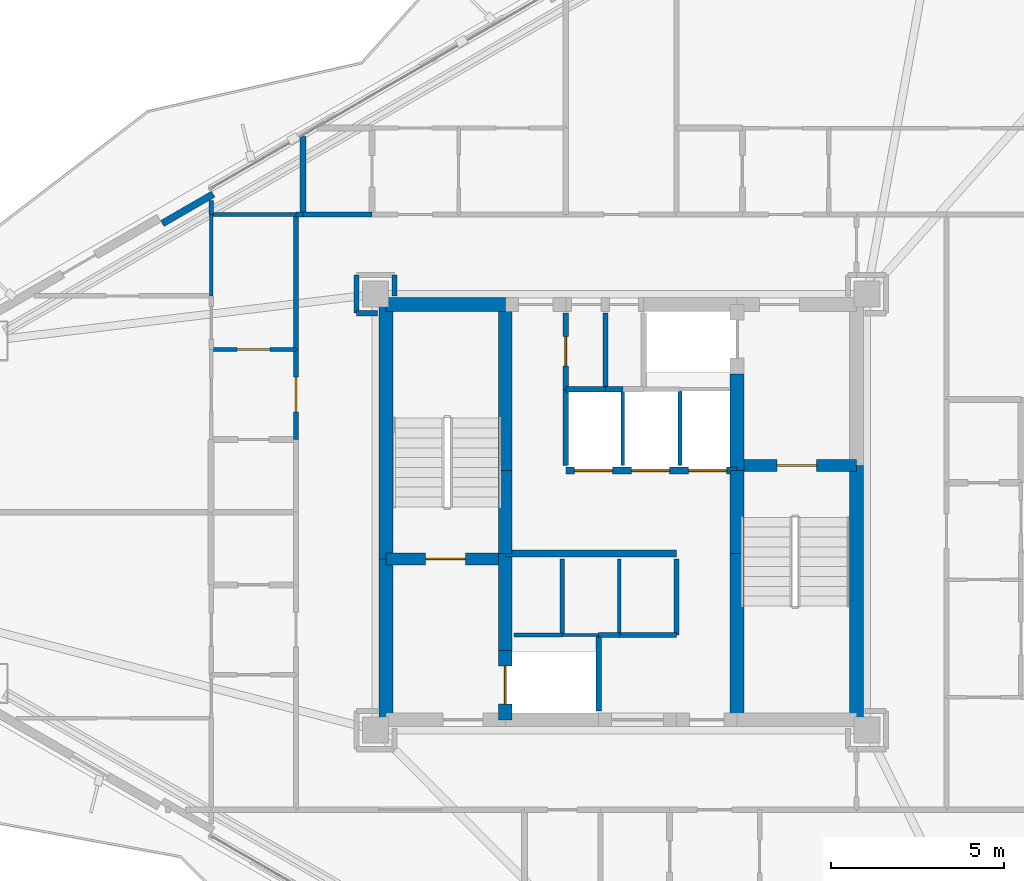
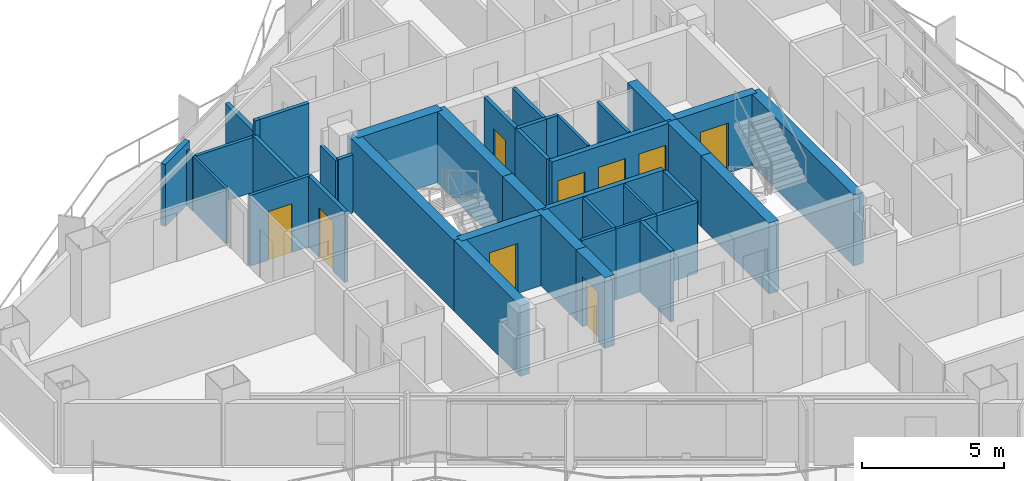
# One storey, part 17 of 23: 43 walls, 9 doors, 9 openings.
"""IFC4 building model written with IfcOpenShell, lengths in metres."""

import ifcopenshell
import ifcopenshell.guid

model = None  # the IFC model being written
_history = None  # IfcOwnerHistory: only IFC2X3 demands one
_inside = {}  # id of a spatial element -> (the spatial element, [elements in it])
_under = {}  # id of a project, library or spatial element -> (it, [spatial elements below it])
_declared = {}  # id of a project -> (the project, [libraries it declares])
_typed = {}  # id of a type object -> (the type object, [elements of that type])
_made_of = {}  # id of a material, layer set ... -> (it, [elements and type objects made of it])


def new_model(schema):
    """Start an empty IFC model of exactly this schema.

    Asked for "IFC4X3", IfcOpenShell would pick the latest addendum, in which some entities
    have other attributes; the version numbers below select the first issue.
    IFC2X3 requires an IfcOwnerHistory on every rooted entity: one is made here for all.
    """
    global model, _history
    if schema == "IFC4X3":
        model = ifcopenshell.file(schema_version=(4, 3, 0, 0))
    else:
        model = ifcopenshell.file(schema=schema)
    _inside.clear()
    _under.clear()
    _declared.clear()
    _typed.clear()
    _made_of.clear()
    _history = None
    if model.schema == "IFC2X3":
        org = make("IfcOrganization", Name="unknown")
        user = make(
            "IfcPersonAndOrganization",
            ThePerson=make("IfcPerson", FamilyName="unknown"),
            TheOrganization=org,
        )
        app = make(
            "IfcApplication",
            ApplicationDeveloper=org,
            Version="unknown",
            ApplicationFullName="unknown",
            ApplicationIdentifier="unknown",
        )
        _history = make(
            "IfcOwnerHistory",
            OwningUser=user,
            OwningApplication=app,
            ChangeAction="ADDED",
            CreationDate=0,
        )
    return model


def make(cls, **values):
    """One entity of the class cls with the attributes given. An attribute that is None is left unset."""
    return model.create_entity(
        cls, **{name: value for name, value in values.items() if value is not None}
    )


def rooted(cls, **values):
    """An entity with a GlobalId (a new one), such as an element, a storey or a relation."""
    return make(cls, GlobalId=ifcopenshell.guid.new(), OwnerHistory=_history, **values)


def si_unit(unit_type, name, prefix=None):
    """IfcSIUnit, for example si_unit("LENGTHUNIT", "METRE", prefix="MILLI")."""
    return make("IfcSIUnit", UnitType=unit_type, Prefix=prefix, Name=name)


def assignment(units):
    """IfcUnitAssignment: the units of a project."""
    return None if units is None else make("IfcUnitAssignment", Units=units)


def point(xyz):
    """IfcCartesianPoint."""
    return None if xyz is None else make("IfcCartesianPoint", Coordinates=xyz)


def direction(xyz):
    """IfcDirection."""
    return None if xyz is None else make("IfcDirection", DirectionRatios=xyz)


def frame(location, z_axis=None, x_axis=None):
    """IfcAxis2Placement3D, a coordinate frame: its origin and axes. An axis left out is left unset."""
    return make(
        "IfcAxis2Placement3D",
        Location=point(location),
        Axis=direction(z_axis),
        RefDirection=direction(x_axis),
    )


def frame_2d(location, x_axis=None):
    """IfcAxis2Placement2D, a coordinate frame in the plane: its origin and x axis."""
    return make(
        "IfcAxis2Placement2D", Location=point(location), RefDirection=direction(x_axis)
    )


def origin():
    """The frame at (0, 0, 0) with its axes left unset."""
    return frame((0.0, 0.0, 0.0))


def place(relative_to, where):
    """IfcLocalPlacement: puts the frame where relative to a parent placement (None: the world)."""
    return make(
        "IfcLocalPlacement", PlacementRelTo=relative_to, RelativePlacement=where
    )


def context(
    kind, dimensions, precision=None, world=None, true_north=None, identifier=None
):
    """IfcGeometricRepresentationContext, for example the 3D "Model" context."""
    return make(
        "IfcGeometricRepresentationContext",
        ContextIdentifier=identifier,
        ContextType=kind,
        CoordinateSpaceDimension=dimensions,
        Precision=precision,
        WorldCoordinateSystem=world,
        TrueNorth=true_north,
    )


def subcontext(parent, identifier, kind, view, scale=None):
    """IfcGeometricRepresentationSubContext, for example "Body" below "Model"."""
    return make(
        "IfcGeometricRepresentationSubContext",
        ContextIdentifier=identifier,
        ContextType=kind,
        ParentContext=parent,
        TargetScale=scale,
        TargetView=view,
    )


def project(units=None, contexts=None):
    """IfcProject with its units and contexts."""
    return rooted(
        "IfcProject",
        Name="project",
        RepresentationContexts=contexts,
        UnitsInContext=assignment(units),
    )


def spatial(cls, under=None, at=None, **own):
    """A site, building, storey or space (cls), placed at a placement, below another one or the project."""
    s = rooted(cls, ObjectPlacement=at, **own)
    if under is not None:
        _under.setdefault(under.id(), (under, []))[1].append(s)
    return s


def profile(cls, at=None, kind="AREA", **sizes):
    """A parametric profile (cls). Its sizes go by their IFC names, for example OverallWidth=200.0."""
    return make(cls, ProfileType=kind, Position=at, **sizes)


def rectangle(**sizes):
    """IfcRectangleProfileDef."""
    return profile("IfcRectangleProfileDef", **sizes)


def extrude(swept, where, along, depth):
    """IfcExtrudedAreaSolid: the profile swept, set in the frame where, extruded along a direction by depth."""
    return make(
        "IfcExtrudedAreaSolid",
        SweptArea=swept,
        Position=where,
        ExtrudedDirection=direction(along),
        Depth=depth,
    )


def shape(context_of_items, identifier, shape_type, items):
    """IfcShapeRepresentation: the items that make up one representation, for example the "Body"."""
    return make(
        "IfcShapeRepresentation",
        ContextOfItems=context_of_items,
        RepresentationIdentifier=identifier,
        RepresentationType=shape_type,
        Items=items,
    )


def material(Name=None, Category=None):
    """IfcMaterial."""
    return make("IfcMaterial", Name=Name, Category=Category)


def layer(
    of_material, thickness, ventilated=None, Name=None, Category=None, Priority=None
):
    """IfcMaterialLayer: one layer of a wall or slab, of a material (None: an air gap)."""
    return make(
        "IfcMaterialLayer",
        Material=of_material,
        LayerThickness=thickness,
        IsVentilated=ventilated,
        Name=Name,
        Category=Category,
        Priority=Priority,
    )


def layer_set(layers, Name=None):
    """IfcMaterialLayerSet."""
    return make("IfcMaterialLayerSet", MaterialLayers=layers, LayerSetName=Name)


def made_of(thing, what):
    """Note that an element or type object is made of a material, layer set ...; save() writes the relation."""
    if what is not None:
        _made_of.setdefault(what.id(), (what, []))[1].append(thing)
    return thing


def type_object(cls, material=None, **own):
    """A type object (cls), such as IfcWallType, which elements share."""
    return made_of(rooted(cls, **own), material)


def element(
    cls,
    number,
    at=None,
    inside=None,
    cuts=None,
    type_object=None,
    material=None,
    context=None,
    identifier="Body",
    shape_type=None,
    held_by="IfcProductDefinitionShape",
    body=None,
    shapes=None,
    **own,
):
    """One element of the class cls, such as IfcWall. Its Tag is "e" and its number.

    at: its placement. inside: the storey or other place that contains it. cuts: it is an
    opening in that element (IfcRelVoidsElement). A single representation is given by context,
    identifier, shape_type and body (its items); several are given by shapes. held_by: the class
    of the entity that holds the representations. save() writes the other relations.
    """
    e = rooted(cls, Tag="e%d" % number, ObjectPlacement=at, **own)
    if body is not None:
        shapes = [shape(context, identifier, shape_type, body)]
    if shapes is not None:
        e.Representation = make(held_by, Representations=shapes)
    if inside is not None:
        _inside.setdefault(inside.id(), (inside, []))[1].append(e)
    if cuts is not None:
        rooted(
            "IfcRelVoidsElement", RelatingBuildingElement=cuts, RelatedOpeningElement=e
        )
    if type_object is not None:
        _typed.setdefault(type_object.id(), (type_object, []))[1].append(e)
    return made_of(e, material)


def fill(opening, filler):
    """IfcRelFillsElement: the door or window that sits in an opening."""
    return rooted(
        "IfcRelFillsElement",
        RelatingOpeningElement=opening,
        RelatedBuildingElement=filler,
    )


def aggregate(whole, parts):
    """IfcRelAggregates: a whole, such as a stair, and the parts it consists of."""
    return rooted("IfcRelAggregates", RelatingObject=whole, RelatedObjects=parts)


def save(model, path):
    """Write the relations noted so far, then the file.

    IfcRelAggregates (storeys below a building ...), IfcRelContainedInSpatialStructure (elements
    in a storey), IfcRelDefinesByType, IfcRelAssociatesMaterial and IfcRelDeclares: one each for
    every whole, place, type object, material and project.
    """
    for whole, parts in _under.values():
        aggregate(whole, parts)
    for where, things in _inside.values():
        rooted(
            "IfcRelContainedInSpatialStructure",
            RelatedElements=things,
            RelatingStructure=where,
        )
    for kind, things in _typed.values():
        rooted("IfcRelDefinesByType", RelatedObjects=things, RelatingType=kind)
    for what, things in _made_of.values():
        rooted("IfcRelAssociatesMaterial", RelatedObjects=things, RelatingMaterial=what)
    for by, libraries in _declared.values():
        rooted("IfcRelDeclares", RelatingContext=by, RelatedDefinitions=libraries)
    model.write(path)


model = new_model("IFC4")

# Units and contexts
model_context = context("Model", 3, precision=1e-05, world=origin(), true_north=direction((0.0, 1.0)))
body_context = subcontext(model_context, "Body", "Model", "MODEL_VIEW")
ifc_project = project(units=[si_unit("LENGTHUNIT", "METRE"), si_unit("AREAUNIT", "SQUARE_METRE"), si_unit("VOLUMEUNIT", "CUBIC_METRE"), si_unit("PLANEANGLEUNIT", "RADIAN"), si_unit("MASSUNIT", "GRAM", prefix="KILO")], contexts=[model_context])

# Site, building, storey
site_placement = place(None, origin())
site = spatial("IfcSite", under=ifc_project, at=site_placement, CompositionType="ELEMENT")
building_placement = place(site_placement, origin())
building = spatial("IfcBuilding", under=site, at=building_placement, Name="Mersakhor Tower and Convention Hall", CompositionType="ELEMENT")
storey_placement = place(building_placement, frame((0.0, 0.0, 106.5)))
storey = spatial("IfcBuildingStorey", under=building, at=storey_placement, Name="L29", CompositionType="ELEMENT", Elevation=106.5)

# Walls
ifc_material_1 = material(Name="Precast concrete C40/50", Category="concrete")
ifc_layer_1 = layer(ifc_material_1, 0.199951171875)
ifc_layer_set_1 = layer_set([ifc_layer_1], Name="Precast concrete C40/50")
wall_type_1 = type_object("IfcWallType", Name="WL-PAR-200", PredefinedType="PARAPET", material=ifc_layer_set_1)
wall_1_placement = place(storey_placement, frame((15.73779296875, 35.091064453125, 0.0), z_axis=(0.0, 0.0, 1.0), x_axis=(0.866025371046, 0.500000056704, 0.0)))
element("IfcWall", 1, at=wall_1_placement, inside=storey, type_object=wall_type_1, Name="L29 Column Pier Cladding Wall F1-C1", PredefinedType="PARAPET", context=body_context, shape_type="SweptSolid", body=[
    extrude(rectangle(XDim=1.7001953125, YDim=0.199951171875, at=frame_2d((0.85009765625, 0.0))), origin(), (0.0, 0.0, 1.0), 2.669921875),
])
ifc_material_2 = material(Name="Moisture-resistant acoustic drywall studwork", Category="other")
ifc_layer_2 = layer(ifc_material_2, 0.175048828125)
ifc_layer_set_2 = layer_set([ifc_layer_2], Name="Moisture-resistant acoustic drywall studwork")
wall_type_2 = type_object("IfcWallType", Name="WL-PLM-175", PredefinedType="PLUMBINGWALL", material=ifc_layer_set_2)
wall_2_placement = place(storey_placement, frame((19.800048828125, 35.35009765625, 0.0), z_axis=(0.0, 0.0, 1.0), x_axis=(0.0, 1.0, 0.0)))
element("IfcWall", 2, at=wall_2_placement, inside=storey, type_object=wall_type_2, Name="L29 Interior Partition Wall P-087", PredefinedType="PLUMBINGWALL", context=body_context, shape_type="SweptSolid", body=[
    extrude(rectangle(XDim=2.25244140625, YDim=0.175048828125, at=frame_2d((1.126220703125, 0.0))), origin(), (0.0, 0.0, 1.0), 2.364990234375),
])
ifc_material_3 = material(Name="Lightweight gypsum partition", Category="other")
ifc_layer_3 = layer(ifc_material_3, 0.10009765625)
ifc_layer_set_3 = layer_set([ifc_layer_3], Name="Lightweight gypsum partition")
wall_type_3 = type_object("IfcWallType", Name="WL-PRT-100", PredefinedType="PARTITIONING", material=ifc_layer_set_3)
wall_3_placement = place(storey_placement, frame((27.300048828125, 23.199951171875, 0.0), z_axis=(0.0, 0.0, 1.0), x_axis=(1.0, 0.0, 0.0)))
element("IfcWall", 3, at=wall_3_placement, inside=storey, type_object=wall_type_3, Name="L29 Interior Partition Wall P-002", PredefinedType="PARTITIONING", context=body_context, shape_type="SweptSolid", body=[
    extrude(rectangle(XDim=1.050048828125, YDim=0.10009765625, at=frame_2d((0.52490234375, 0.0))), origin(), (0.0, 0.0, 1.0), 3.050048828125),
])
for number, where, z_axis, x_axis, name in (
    (4, (28.949951171875, 25.39990234375, 0.0), (0.0, 0.0, 1.0), (0.0, -1.0, 0.0), "L29 Interior Partition Wall P-008"),
    (5, (29.050048828125, 30.300048828125, 0.0), (0.0, 0.0, 1.0), (0.0, -1.0, 0.0), "L29 Interior Partition Wall P-014"),
):
    element("IfcWall", number, at=place(storey_placement, frame(where, z_axis=z_axis, x_axis=x_axis)), inside=storey, type_object=wall_type_3, Name=name, PredefinedType="PARTITIONING", context=body_context, shape_type="SweptSolid", body=[
        extrude(rectangle(XDim=2.199951171875, YDim=0.10009765625, at=frame_2d((1.10009765625, 0.0))), origin(), (0.0, 0.0, 1.0), 3.050048828125),
    ])
wall_4_placement = place(storey_placement, frame((17.14990234375, 33.0, 0.0), z_axis=(0.0, 0.0, 1.0), x_axis=(0.0, 1.0, 0.0)))
element("IfcWall", 6, at=wall_4_placement, inside=storey, type_object=wall_type_3, Name="L29 Interior Partition Wall P-102", PredefinedType="PARTITIONING", context=body_context, shape_type="SweptSolid", body=[
    extrude(rectangle(XDim=2.35009765625, YDim=0.10009765625, at=frame_2d((1.175048828125, 0.0))), origin(), (0.0, 0.0, 1.0), 2.364990234375),
])
ifc_material_4 = material(Name="Gypsum board acoustic partition", Category="other")
ifc_layer_4 = layer(ifc_material_4, 0.125)
ifc_layer_set_4 = layer_set([ifc_layer_4], Name="Gypsum board acoustic partition")
wall_type_4 = type_object("IfcWallType", Name="WL-PRT-125", PredefinedType="PARTITIONING", material=ifc_layer_set_4)
wall_5_placement = place(storey_placement, frame((25.89990234375, 23.199951171875, 0.0), z_axis=(0.0, 0.0, 1.0), x_axis=(1.0, 0.0, 0.0)))
element("IfcWall", 7, at=wall_5_placement, inside=storey, type_object=wall_type_4, Name="L29 Interior Partition Wall P-001", PredefinedType="PARTITIONING", context=body_context, shape_type="SweptSolid", body=[
    extrude(rectangle(XDim=1.400146484375, YDim=0.125, at=frame_2d((0.7001953125, 0.0))), origin(), (0.0, 0.0, 1.0), 3.050048828125),
])
for number, where, z_axis, x_axis, name in (
    (8, (27.300048828125, 25.39990234375, 0.0), (0.0, 0.0, 1.0), (0.0, -1.0, 0.0), "L29 Interior Partition Wall P-007"),
    (9, (30.699951171875, 30.300048828125, 0.0), (0.0, 0.0, 1.0), (0.0, -1.0, 0.0), "L29 Interior Partition Wall P-017"),
):
    element("IfcWall", number, at=place(storey_placement, frame(where, z_axis=z_axis, x_axis=x_axis)), inside=storey, type_object=wall_type_4, Name=name, PredefinedType="PARTITIONING", context=body_context, shape_type="SweptSolid", body=[
        extrude(rectangle(XDim=2.199951171875, YDim=0.125, at=frame_2d((1.10009765625, 0.0))), origin(), (0.0, 0.0, 1.0), 3.050048828125),
    ])

# Wall, opening, door
wall_6_placement = place(storey_placement, frame((17.14990234375, 31.449951171875, 0.0), z_axis=(0.0, 0.0, 1.0), x_axis=(1.0, 0.0, 0.0)))
wall_6 = element("IfcWall", 10, at=wall_6_placement, inside=storey, type_object=wall_type_4, Name="L29 Interior Partition Wall P-075", PredefinedType="PARTITIONING", context=body_context, shape_type="SweptSolid", body=[
    extrude(rectangle(XDim=2.4501953125, YDim=0.125, at=frame_2d((1.22509765625, 0.0))), origin(), (0.0, 0.0, 1.0), 3.050048828125),
])
opening_1_placement = place(wall_6_placement, frame((0.75, 0.0, 0.0)))
opening_1 = element("IfcOpeningElement", 11, at=opening_1_placement, cuts=wall_6, Name="Opening RD-01", PredefinedType="OPENING", context=body_context, shape_type="SweptSolid", body=[
    extrude(rectangle(XDim=0.949951171875, YDim=2.10009765625, at=frame_2d((0.47509765625, 1.050048828125))), frame((0.0, 0.072509765625, 0.0), z_axis=(0.0, -1.0, 0.0), x_axis=(1.0, 0.0, 0.0)), (0.0, 0.0, 1.0), 0.14501953125),
])
ifc_material_5 = material(Name="Solid-core hardwood leaf in painted steel frame", Category="steel")
door_type_1 = type_object("IfcDoorType", Name="DR-INT-RM-095x210", OperationType="NOTDEFINED", PredefinedType="DOOR", material=ifc_material_5)
door_1_placement = place(opening_1_placement, origin())
door_1 = element("IfcDoor", 12, at=door_1_placement, inside=storey, type_object=door_type_1, Name="L29 L29 Flat W4 Apartment Hall to L29 Flat W4 Kitchen Door", OperationType="SINGLE_SWING_RIGHT", OverallHeight=2.10009765625, OverallWidth=0.949951171875, PredefinedType="DOOR", context=body_context, shape_type="SweptSolid", body=[
    extrude(rectangle(XDim=0.949951171875, YDim=2.10009765625, at=frame_2d((0.47509765625, 1.050048828125))), frame((0.0, 0.02490234375, 0.0), z_axis=(0.0, -1.0, 0.0), x_axis=(1.0, 0.0, 0.0)), (0.0, 0.0, 1.0), 0.050048828125),
])
fill(opening_1, door_1)

# Walls
wall_7_placement = place(storey_placement, frame((17.14990234375, 35.35009765625, 0.0), z_axis=(0.0, 0.0, 1.0), x_axis=(1.0, 0.0, 0.0)))
element("IfcWall", 13, at=wall_7_placement, inside=storey, type_object=wall_type_4, Name="L29 Interior Partition Wall P-103", PredefinedType="PARTITIONING", context=body_context, shape_type="SweptSolid", body=[
    extrude(rectangle(XDim=2.4501953125, YDim=0.125, at=frame_2d((1.22509765625, 0.0))), origin(), (0.0, 0.0, 1.0), 2.364990234375),
])
wall_8_placement = place(storey_placement, frame((17.14990234375, 35.76318359375, 0.0), z_axis=(0.0, 0.0, 1.0), x_axis=(0.0, -1.0, 0.0)))
element("IfcWall", 14, at=wall_8_placement, inside=storey, type_object=wall_type_4, Name="L29 Interior Partition Wall P-127", PredefinedType="PARTITIONING", context=body_context, shape_type="SweptSolid", body=[
    extrude(rectangle(XDim=0.4130859375, YDim=0.125, at=frame_2d((0.20654296875, 0.0))), origin(), (0.0, 0.0, 1.0), 2.364990234375),
])
ifc_material_6 = material(Name="Fire-rated gypsum board stud partition", Category="other")
ifc_layer_5 = layer(ifc_material_6, 0.14990234375)
ifc_layer_set_5 = layer_set([ifc_layer_5], Name="Fire-rated gypsum board stud partition")
wall_type_5 = type_object("IfcWallType", Name="WL-PRT-150", PredefinedType="PARTITIONING", material=ifc_layer_set_5)
wall_9_placement = place(storey_placement, frame((28.35009765625, 23.199951171875, 0.0), z_axis=(0.0, 0.0, 1.0), x_axis=(0.0, -1.0, 0.0)))
element("IfcWall", 15, at=wall_9_placement, inside=storey, type_object=wall_type_5, Name="L29 Interior Partition Wall P-003", PredefinedType="PARTITIONING", context=body_context, shape_type="SweptSolid", body=[
    extrude(rectangle(XDim=2.199951171875, YDim=0.14990234375, at=frame_2d((1.10009765625, 0.0))), origin(), (0.0, 0.0, 1.0), 3.050048828125),
])
wall_10_placement = place(storey_placement, frame((28.949951171875, 23.199951171875, 0.0), z_axis=(0.0, 0.0, 1.0), x_axis=(-1.0, 0.0, 0.0)))
element("IfcWall", 16, at=wall_10_placement, inside=storey, type_object=wall_type_5, Name="L29 Interior Partition Wall P-009", PredefinedType="PARTITIONING", context=body_context, shape_type="SweptSolid", body=[
    extrude(rectangle(XDim=0.599853515625, YDim=0.14990234375, at=frame_2d((0.2998046875, 0.0))), origin(), (0.0, 0.0, 1.0), 3.050048828125),
])
wall_11_placement = place(storey_placement, frame((30.60009765625, 25.39990234375, 0.0), z_axis=(0.0, 0.0, 1.0), x_axis=(0.0, -1.0, 0.0)))
element("IfcWall", 17, at=wall_11_placement, inside=storey, type_object=wall_type_5, Name="L29 Interior Partition Wall P-010", PredefinedType="PARTITIONING", context=body_context, shape_type="SweptSolid", body=[
    extrude(rectangle(XDim=2.199951171875, YDim=0.14990234375, at=frame_2d((1.10009765625, 0.0))), origin(), (0.0, 0.0, 1.0), 3.050048828125),
])
wall_12_placement = place(storey_placement, frame((30.60009765625, 23.199951171875, 0.0), z_axis=(0.0, 0.0, 1.0), x_axis=(-1.0, 0.0, 0.0)))
element("IfcWall", 18, at=wall_12_placement, inside=storey, type_object=wall_type_5, Name="L29 Interior Partition Wall P-011", PredefinedType="PARTITIONING", context=body_context, shape_type="SweptSolid", body=[
    extrude(rectangle(XDim=1.650146484375, YDim=0.14990234375, at=frame_2d((0.8251953125, 0.0))), origin(), (0.0, 0.0, 1.0), 3.050048828125),
])
wall_13_placement = place(storey_placement, frame((27.39990234375, 30.300048828125, 0.0), z_axis=(0.0, 0.0, 1.0), x_axis=(1.0, 0.0, 0.0)))
element("IfcWall", 19, at=wall_13_placement, inside=storey, type_object=wall_type_5, Name="L29 Interior Partition Wall P-012", PredefinedType="PARTITIONING", context=body_context, shape_type="SweptSolid", body=[
    extrude(rectangle(XDim=1.150146484375, YDim=0.14990234375, at=frame_2d((0.5751953125, 0.0))), origin(), (0.0, 0.0, 1.0), 3.050048828125),
])
wall_14_placement = place(storey_placement, frame((28.550048828125, 30.300048828125, 0.0), z_axis=(0.0, 0.0, 1.0), x_axis=(1.0, 0.0, 0.0)))
element("IfcWall", 20, at=wall_14_placement, inside=storey, type_object=wall_type_5, Name="L29 Interior Partition Wall P-013", PredefinedType="PARTITIONING", context=body_context, shape_type="SweptSolid", body=[
    extrude(rectangle(XDim=0.5, YDim=0.14990234375, at=frame_2d((0.25, 0.0))), origin(), (0.0, 0.0, 1.0), 3.050048828125),
])
wall_15_placement = place(storey_placement, frame((27.39990234375, 28.10009765625, 0.0), z_axis=(0.0, 0.0, 1.0), x_axis=(0.0, 1.0, 0.0)))
element("IfcWall", 21, at=wall_15_placement, inside=storey, type_object=wall_type_5, Name="L29 Interior Partition Wall P-015", PredefinedType="PARTITIONING", context=body_context, shape_type="SweptSolid", body=[
    extrude(rectangle(XDim=2.199951171875, YDim=0.14990234375, at=frame_2d((1.10009765625, 0.0))), origin(), (0.0, 0.0, 1.0), 3.050048828125),
])

# Wall, opening, door
wall_16_placement = place(storey_placement, frame((27.39990234375, 32.5, 0.0), z_axis=(0.0, 0.0, 1.0), x_axis=(0.0, -1.0, 0.0)))
wall_16 = element("IfcWall", 22, at=wall_16_placement, inside=storey, type_object=wall_type_5, Name="L29 Interior Partition Wall P-018", PredefinedType="PARTITIONING", context=body_context, shape_type="SweptSolid", body=[
    extrude(rectangle(XDim=2.199951171875, YDim=0.14990234375, at=frame_2d((1.10009765625, 0.0))), origin(), (0.0, 0.0, 1.0), 3.050048828125),
])
opening_2_placement = place(wall_16_placement, frame((0.675048828125, 0.0, 0.0)))
opening_2 = element("IfcOpeningElement", 23, at=opening_2_placement, cuts=wall_16, Name="Opening SVD-01", PredefinedType="OPENING", context=body_context, shape_type="SweptSolid", body=[
    extrude(rectangle(XDim=0.85009765625, YDim=2.10009765625, at=frame_2d((0.425048828125, 1.050048828125))), frame((0.0, 0.0849609375, 0.0), z_axis=(0.0, -1.0, 0.0), x_axis=(1.0, 0.0, 0.0)), (0.0, 0.0, 1.0), 0.169921875),
])
ifc_material_7 = material(Name="Fire-rated hardwood leaf and painted steel frame", Category="steel")
door_type_2 = type_object("IfcDoorType", Name="DR-INT-SVC-085x210", OperationType="NOTDEFINED", PredefinedType="DOOR", material=ifc_material_7)
door_2_placement = place(opening_2_placement, origin())
door_2 = element("IfcDoor", 24, at=door_2_placement, inside=storey, type_object=door_type_2, Name="L29 Central Passenger Lift Lobby to Telecoms Distribution Room Door", OperationType="SINGLE_SWING_RIGHT", OverallHeight=2.10009765625, OverallWidth=0.85009765625, PredefinedType="DOOR", context=body_context, shape_type="SweptSolid", body=[
    extrude(rectangle(XDim=0.85009765625, YDim=2.10009765625, at=frame_2d((0.425048828125, 1.050048828125))), frame((0.0, 0.02490234375, 0.0), z_axis=(0.0, -1.0, 0.0), x_axis=(1.0, 0.0, 0.0)), (0.0, 0.0, 1.0), 0.050048828125),
])
fill(opening_2, door_2)

wall_17_placement = place(storey_placement, frame((19.60009765625, 28.85009765625, 0.0), z_axis=(0.0, 0.0, 1.0), x_axis=(0.0, 1.0, 0.0)))
wall_17 = element("IfcWall", 25, at=wall_17_placement, inside=storey, type_object=wall_type_5, Name="L29 Interior Partition Wall P-033", PredefinedType="PARTITIONING", context=body_context, shape_type="SweptSolid", body=[
    extrude(rectangle(XDim=2.599853515625, YDim=0.14990234375, at=frame_2d((1.2998046875, 0.0))), origin(), (0.0, 0.0, 1.0), 3.050048828125),
])
opening_3_placement = place(wall_17_placement, frame((0.800048828125, 0.0, 0.0)))
opening_3 = element("IfcOpeningElement", 26, at=opening_3_placement, cuts=wall_17, Name="Opening FD-01", PredefinedType="OPENING", context=body_context, shape_type="SweptSolid", body=[
    extrude(rectangle(XDim=1.0, YDim=2.14990234375, at=frame_2d((0.5, 1.074951171875))), frame((0.0, 0.0849609375, 0.0), z_axis=(0.0, -1.0, 0.0), x_axis=(1.0, 0.0, 0.0)), (0.0, 0.0, 1.0), 0.169921875),
])
ifc_material_8 = material(Name="Fire-rated hardwood leaf and painted steel frame", Category="steel")
door_type_3 = type_object("IfcDoorType", Name="DR-INT-FLT-100x215", OperationType="NOTDEFINED", PredefinedType="DOOR", material=ifc_material_8)
door_3_placement = place(opening_3_placement, origin())
door_3 = element("IfcDoor", 27, at=door_3_placement, inside=storey, type_object=door_type_3, Name="L29 Apartment Entrance Door (Residential Ring Corridor to L29 Flat W4 Apartment Hall)", OperationType="SINGLE_SWING_RIGHT", OverallHeight=2.14990234375, OverallWidth=1.0, PredefinedType="DOOR", context=body_context, shape_type="SweptSolid", body=[
    extrude(rectangle(XDim=1.0, YDim=2.14990234375, at=frame_2d((0.5, 1.074951171875))), frame((0.0, 0.02490234375, 0.0), z_axis=(0.0, -1.0, 0.0), x_axis=(1.0, 0.0, 0.0)), (0.0, 0.0, 1.0), 0.050048828125),
])
fill(opening_3, door_3)

# Walls
wall_18_placement = place(storey_placement, frame((19.60009765625, 31.449951171875, 0.0), z_axis=(0.0, 0.0, 1.0), x_axis=(0.0, 1.0, 0.0)))
element("IfcWall", 28, at=wall_18_placement, inside=storey, type_object=wall_type_5, Name="L29 Interior Partition Wall P-034", PredefinedType="PARTITIONING", context=body_context, shape_type="SweptSolid", body=[
    extrude(rectangle(XDim=3.900146484375, YDim=0.14990234375, at=frame_2d((1.9501953125, 0.0))), origin(), (0.0, 0.0, 1.0), 2.4228515625),
])
wall_19_placement = place(storey_placement, frame((19.60009765625, 35.35009765625, 0.0), z_axis=(0.0, 0.0, 1.0), x_axis=(1.0, 0.0, 0.0)))
element("IfcWall", 29, at=wall_19_placement, inside=storey, type_object=wall_type_5, Name="L29 Interior Partition Wall P-035", PredefinedType="PARTITIONING", context=body_context, shape_type="SweptSolid", body=[
    extrude(rectangle(XDim=0.199951171875, YDim=0.14990234375, at=frame_2d((0.10009765625, 0.0))), origin(), (0.0, 0.0, 1.0), 3.050048828125),
])
wall_20_placement = place(storey_placement, frame((19.800048828125, 35.35009765625, 0.0), z_axis=(0.0, 0.0, 1.0), x_axis=(1.0, 0.0, 0.0)))
element("IfcWall", 30, at=wall_20_placement, inside=storey, type_object=wall_type_5, Name="L29 Interior Partition Wall P-036", PredefinedType="PARTITIONING", context=body_context, shape_type="SweptSolid", body=[
    extrude(rectangle(XDim=2.0, YDim=0.14990234375, at=frame_2d((1.0, 0.0))), origin(), (0.0, 0.0, 1.0), 3.050048828125),
])
wall_21_placement = place(storey_placement, frame((22.449951171875, 33.0, 0.0), z_axis=(0.0, 0.0, 1.0), x_axis=(0.0, 1.0, 0.0)))
element("IfcWall", 31, at=wall_21_placement, inside=storey, type_object=wall_type_5, Name="L29 Interior Partition Wall P-046", PredefinedType="PARTITIONING", context=body_context, shape_type="SweptSolid", body=[
    extrude(rectangle(XDim=0.60009765625, YDim=0.14990234375, at=frame_2d((0.300048828125, 0.0))), origin(), (0.0, 0.0, 1.0), 2.498291015625),
])
wall_22_placement = place(storey_placement, frame((21.35009765625, 33.60009765625, 0.0), z_axis=(0.0, 0.0, 1.0), x_axis=(0.0, -1.0, 0.0)))
element("IfcWall", 32, at=wall_22_placement, inside=storey, type_object=wall_type_5, Name="L29 Interior Partition Wall P-048", PredefinedType="PARTITIONING", context=body_context, shape_type="SweptSolid", body=[
    extrude(rectangle(XDim=1.10009765625, YDim=0.14990234375, at=frame_2d((0.550048828125, 0.0))), origin(), (0.0, 0.0, 1.0), 2.4228515625),
])
wall_23_placement = place(storey_placement, frame((21.35009765625, 32.5, 0.0), z_axis=(0.0, 0.0, 1.0), x_axis=(1.0, 0.0, 0.0)))
element("IfcWall", 33, at=wall_23_placement, inside=storey, type_object=wall_type_5, Name="L29 Interior Partition Wall P-049", PredefinedType="PARTITIONING", context=body_context, shape_type="SweptSolid", body=[
    extrude(rectangle(XDim=0.599853515625, YDim=0.14990234375, at=frame_2d((0.2998046875, 0.0))), origin(), (0.0, 0.0, 1.0), 2.498291015625),
])
wall_24_placement = place(storey_placement, frame((28.550048828125, 32.5, 0.0), z_axis=(0.0, 0.0, 1.0), x_axis=(0.0, -1.0, 0.0)))
element("IfcWall", 34, at=wall_24_placement, inside=storey, type_object=wall_type_5, Name="L29 Interior Partition Wall P-112", PredefinedType="PARTITIONING", context=body_context, shape_type="SweptSolid", body=[
    extrude(rectangle(XDim=2.199951171875, YDim=0.14990234375, at=frame_2d((1.10009765625, 0.0))), origin(), (0.0, 0.0, 1.0), 3.050048828125),
])
ifc_material_9 = material(Name="Acoustic concrete blockwork and gypsum board", Category="masonry")
ifc_layer_6 = layer(ifc_material_9, 0.199951171875)
ifc_layer_set_6 = layer_set([ifc_layer_6], Name="Acoustic concrete blockwork and gypsum board")
wall_type_6 = type_object("IfcWallType", Name="WL-PRT-200", PredefinedType="PARTITIONING", material=ifc_layer_set_6)
wall_25_placement = place(storey_placement, frame((25.64990234375, 25.550048828125, 0.0), z_axis=(0.0, 0.0, 1.0), x_axis=(1.0, 0.0, 0.0)))
element("IfcWall", 35, at=wall_25_placement, inside=storey, type_object=wall_type_6, Name="L29 High-Rise Lift Bank Front Wall", PredefinedType="PARTITIONING", context=body_context, shape_type="SweptSolid", body=[
    extrude(rectangle(XDim=4.9501953125, YDim=0.199951171875, at=frame_2d((2.47509765625, 0.0))), origin(), (0.0, 0.0, 1.0), 3.050048828125),
])

# Wall, openings, doors
wall_26_placement = place(storey_placement, frame((27.39990234375, 27.949951171875, 0.0), z_axis=(0.0, 0.0, 1.0), x_axis=(1.0, 0.0, 0.0)))
wall_26 = element("IfcWall", 36, at=wall_26_placement, inside=storey, type_object=wall_type_6, Name="L29 Low-Rise Lift Bank Front Wall", PredefinedType="PARTITIONING", context=body_context, shape_type="SweptSolid", body=[
    extrude(rectangle(XDim=4.9501953125, YDim=0.199951171875, at=frame_2d((2.47509765625, 0.0))), origin(), (0.0, 0.0, 1.0), 3.050048828125),
])
opening_4_placement = place(wall_26_placement, frame((0.25, 0.0, 0.0)))
opening_4 = element("IfcOpeningElement", 37, at=opening_4_placement, cuts=wall_26, Name="Opening LD-P1", PredefinedType="OPENING", context=body_context, shape_type="SweptSolid", body=[
    extrude(rectangle(XDim=1.10009765625, YDim=2.14990234375, at=frame_2d((0.550048828125, 1.074951171875))), frame((0.0, 0.10986328125, 0.0), z_axis=(0.0, -1.0, 0.0), x_axis=(1.0, 0.0, 0.0)), (0.0, 0.0, 1.0), 0.219970703125),
])
opening_5_placement = place(wall_26_placement, frame((1.89990234375, 0.0, 0.0)))
opening_5 = element("IfcOpeningElement", 38, at=opening_5_placement, cuts=wall_26, Name="Opening LD-P2", PredefinedType="OPENING", context=body_context, shape_type="SweptSolid", body=[
    extrude(rectangle(XDim=1.10009765625, YDim=2.14990234375, at=frame_2d((0.550048828125, 1.074951171875))), frame((0.0, 0.10986328125, 0.0), z_axis=(0.0, -1.0, 0.0), x_axis=(1.0, 0.0, 0.0)), (0.0, 0.0, 1.0), 0.219970703125),
])
opening_6_placement = place(wall_26_placement, frame((3.550048828125, 0.0, 0.0)))
opening_6 = element("IfcOpeningElement", 39, at=opening_6_placement, cuts=wall_26, Name="Opening LD-P3", PredefinedType="OPENING", context=body_context, shape_type="SweptSolid", body=[
    extrude(rectangle(XDim=1.10009765625, YDim=2.14990234375, at=frame_2d((0.550048828125, 1.074951171875))), frame((0.0, 0.10986328125, 0.0), z_axis=(0.0, -1.0, 0.0), x_axis=(1.0, 0.0, 0.0)), (0.0, 0.0, 1.0), 0.219970703125),
])
ifc_material_10 = material(Name="Fire-rated brushed stainless steel sliding landing door", Category="steel")
door_type_4 = type_object("IfcDoorType", Name="DR-LIFT-SLD-110x215", OperationType="NOTDEFINED", PredefinedType="DOOR", material=ifc_material_10)
door_4_placement = place(opening_4_placement, origin())
door_4 = element("IfcDoor", 40, at=door_4_placement, inside=storey, type_object=door_type_4, Name="L29 Lift Landing Door LD-P1", OperationType="SLIDING_TO_LEFT", OverallHeight=2.14990234375, OverallWidth=1.10009765625, PredefinedType="DOOR", context=body_context, shape_type="SweptSolid", body=[
    extrude(rectangle(XDim=1.10009765625, YDim=2.14990234375, at=frame_2d((0.550048828125, 1.074951171875))), frame((0.0, 0.02490234375, 0.0), z_axis=(0.0, -1.0, 0.0), x_axis=(1.0, 0.0, 0.0)), (0.0, 0.0, 1.0), 0.050048828125),
])
fill(opening_4, door_4)
door_5_placement = place(opening_5_placement, origin())
door_5 = element("IfcDoor", 41, at=door_5_placement, inside=storey, type_object=door_type_4, Name="L29 Lift Landing Door LD-P2", OperationType="SLIDING_TO_LEFT", OverallHeight=2.14990234375, OverallWidth=1.10009765625, PredefinedType="DOOR", context=body_context, shape_type="SweptSolid", body=[
    extrude(rectangle(XDim=1.10009765625, YDim=2.14990234375, at=frame_2d((0.550048828125, 1.074951171875))), frame((0.0, 0.02490234375, 0.0), z_axis=(0.0, -1.0, 0.0), x_axis=(1.0, 0.0, 0.0)), (0.0, 0.0, 1.0), 0.050048828125),
])
fill(opening_5, door_5)
door_6_placement = place(opening_6_placement, origin())
door_6 = element("IfcDoor", 42, at=door_6_placement, inside=storey, type_object=door_type_4, Name="L29 Lift Landing Door LD-P3", OperationType="SLIDING_TO_LEFT", OverallHeight=2.14990234375, OverallWidth=1.10009765625, PredefinedType="DOOR", context=body_context, shape_type="SweptSolid", body=[
    extrude(rectangle(XDim=1.10009765625, YDim=2.14990234375, at=frame_2d((0.550048828125, 1.074951171875))), frame((0.0, 0.02490234375, 0.0), z_axis=(0.0, -1.0, 0.0), x_axis=(1.0, 0.0, 0.0)), (0.0, 0.0, 1.0), 0.050048828125),
])
fill(opening_6, door_6)

# Wall, opening, door
ifc_material_11 = material(Name="Concrete C50/60", Category="concrete")
ifc_layer_7 = layer(ifc_material_11, 0.35009765625)
ifc_layer_set_7 = layer_set([ifc_layer_7], Name="Concrete C50/60")
wall_type_7 = type_object("IfcWallType", Name="WL-SHR-350", PredefinedType="SHEAR", material=ifc_layer_set_7)
wall_27_placement = place(storey_placement, frame((22.199951171875, 25.39990234375, 0.0), z_axis=(0.0, 0.0, 1.0), x_axis=(1.0, 0.0, 0.0)))
wall_27 = element("IfcWall", 43, at=wall_27_placement, inside=storey, type_object=wall_type_7, Name="L29 Core Wall CS-ST1-S", PredefinedType="SHEAR", context=body_context, shape_type="SweptSolid", body=[
    extrude(rectangle(XDim=3.449951171875, YDim=0.35009765625, at=frame_2d((1.72509765625, 0.0))), origin(), (0.0, 0.0, 1.0), 3.050048828125),
])
opening_7_placement = place(wall_27_placement, frame((1.14990234375, 0.0, 0.0)))
opening_7 = element("IfcOpeningElement", 44, at=opening_7_placement, cuts=wall_27, Name="Opening SD-01", PredefinedType="OPENING", context=body_context, shape_type="SweptSolid", body=[
    extrude(rectangle(XDim=1.14990234375, YDim=2.14990234375, at=frame_2d((0.574951171875, 1.074951171875))), frame((0.0, 0.18505859375, 0.0), z_axis=(0.0, -1.0, 0.0), x_axis=(1.0, 0.0, 0.0)), (0.0, 0.0, 1.0), 0.3701171875),
])
ifc_material_12 = material(Name="Fire-rated hardwood leaf and painted steel frame", Category="steel")
door_type_5 = type_object("IfcDoorType", Name="DR-INT-STAIR-115x215", OperationType="NOTDEFINED", PredefinedType="DOOR", material=ifc_material_12)
door_7_placement = place(opening_7_placement, origin())
door_7 = element("IfcDoor", 45, at=door_7_placement, inside=storey, type_object=door_type_5, Name="L29 Exit Stair ST-1 Enclosure Door", OperationType="SINGLE_SWING_LEFT", OverallHeight=2.14990234375, OverallWidth=1.14990234375, PredefinedType="DOOR", context=body_context, shape_type="SweptSolid", body=[
    extrude(rectangle(XDim=1.14990234375, YDim=2.14990234375, at=frame_2d((0.574951171875, 1.074951171875))), frame((0.0, 0.02490234375, 0.0), z_axis=(0.0, -1.0, 0.0), x_axis=(1.0, 0.0, 0.0)), (0.0, 0.0, 1.0), 0.050048828125),
])
fill(opening_7, door_7)

wall_28_placement = place(storey_placement, frame((32.35009765625, 28.10009765625, 0.0), z_axis=(0.0, 0.0, 1.0), x_axis=(1.0, 0.0, 0.0)))
wall_28 = element("IfcWall", 46, at=wall_28_placement, inside=storey, type_object=wall_type_7, Name="L29 Core Wall CS-ST2-N", PredefinedType="SHEAR", context=body_context, shape_type="SweptSolid", body=[
    extrude(rectangle(XDim=3.449951171875, YDim=0.35009765625, at=frame_2d((1.72509765625, 0.0))), origin(), (0.0, 0.0, 1.0), 3.050048828125),
])
opening_8_placement = place(wall_28_placement, frame((1.14990234375, 0.0, 0.0)))
opening_8 = element("IfcOpeningElement", 47, at=opening_8_placement, cuts=wall_28, Name="Opening SD-01", PredefinedType="OPENING", context=body_context, shape_type="SweptSolid", body=[
    extrude(rectangle(XDim=1.14990234375, YDim=2.14990234375, at=frame_2d((0.574951171875, 1.074951171875))), frame((0.0, 0.18505859375, 0.0), z_axis=(0.0, -1.0, 0.0), x_axis=(1.0, 0.0, 0.0)), (0.0, 0.0, 1.0), 0.3701171875),
])
door_8_placement = place(opening_8_placement, origin())
door_8 = element("IfcDoor", 48, at=door_8_placement, inside=storey, type_object=door_type_5, Name="L29 Exit Stair ST-2 Enclosure Door", OperationType="SINGLE_SWING_RIGHT", OverallHeight=2.14990234375, OverallWidth=1.14990234375, PredefinedType="DOOR", context=body_context, shape_type="SweptSolid", body=[
    extrude(rectangle(XDim=1.14990234375, YDim=2.14990234375, at=frame_2d((0.574951171875, 1.074951171875))), frame((0.0, 0.02490234375, 0.0), z_axis=(0.0, -1.0, 0.0), x_axis=(1.0, 0.0, 0.0)), (0.0, 0.0, 1.0), 0.050048828125),
])
fill(opening_8, door_8)

# Walls
ifc_material_13 = material(Name="Concrete C60/75", Category="concrete")
ifc_layer_8 = layer(ifc_material_13, 0.39990234375)
ifc_layer_set_8 = layer_set([ifc_layer_8], Name="Concrete C60/75")
wall_type_8 = type_object("IfcWallType", Name="WL-SHR-400", PredefinedType="SHEAR", material=ifc_layer_set_8)
wall_29_placement = place(storey_placement, frame((22.199951171875, 20.75, 0.0), z_axis=(0.0, 0.0, 1.0), x_axis=(0.0, 1.0, 0.0)))
element("IfcWall", 49, at=wall_29_placement, inside=storey, type_object=wall_type_8, Name="L29 Core Wall CW-W1", PredefinedType="SHEAR", context=body_context, shape_type="SweptSolid", body=[
    extrude(rectangle(XDim=4.64990234375, YDim=0.39990234375, at=frame_2d((2.324951171875, 0.0))), origin(), (0.0, 0.0, 1.0), 3.050048828125),
])
wall_30_placement = place(storey_placement, frame((22.199951171875, 25.39990234375, 0.0), z_axis=(0.0, 0.0, 1.0), x_axis=(0.0, 1.0, 0.0)))
element("IfcWall", 50, at=wall_30_placement, inside=storey, type_object=wall_type_8, Name="L29 Core Wall CW-W2", PredefinedType="SHEAR", context=body_context, shape_type="SweptSolid", body=[
    extrude(rectangle(XDim=7.35009765625, YDim=0.39990234375, at=frame_2d((3.675048828125, 0.0))), origin(), (0.0, 0.0, 1.0), 3.050048828125),
])
wall_31_placement = place(storey_placement, frame((22.199951171875, 32.75, 0.0), z_axis=(0.0, 0.0, 1.0), x_axis=(1.0, 0.0, 0.0)))
element("IfcWall", 51, at=wall_31_placement, inside=storey, type_object=wall_type_8, Name="L29 Core Wall CW-N1", PredefinedType="SHEAR", context=body_context, shape_type="SweptSolid", body=[
    extrude(rectangle(XDim=3.449951171875, YDim=0.39990234375, at=frame_2d((1.72509765625, 0.0))), origin(), (0.0, 0.0, 1.0), 3.050048828125),
])
wall_32_placement = place(storey_placement, frame((35.800048828125, 28.10009765625, 0.0), z_axis=(0.0, 0.0, 1.0), x_axis=(0.0, -1.0, 0.0)))
element("IfcWall", 52, at=wall_32_placement, inside=storey, type_object=wall_type_8, Name="L29 Core Wall CW-E2", PredefinedType="SHEAR", context=body_context, shape_type="SweptSolid", body=[
    extrude(rectangle(XDim=7.35009765625, YDim=0.39990234375, at=frame_2d((3.675048828125, 0.0))), origin(), (0.0, 0.0, 1.0), 3.050048828125),
])

# Wall, opening, door
wall_33_placement = place(storey_placement, frame((25.64990234375, 20.75, 0.0), z_axis=(0.0, 0.0, 1.0), x_axis=(0.0, 1.0, 0.0)))
wall_33 = element("IfcWall", 53, at=wall_33_placement, inside=storey, type_object=wall_type_8, Name="L29 Core Wall CS-W-FFL", PredefinedType="SHEAR", context=body_context, shape_type="SweptSolid", body=[
    extrude(rectangle(XDim=2.0, YDim=0.39990234375, at=frame_2d((1.0, 0.0))), origin(), (0.0, 0.0, 1.0), 3.050048828125),
])
opening_9_placement = place(wall_33_placement, frame((0.449951171875, 0.0, 0.0)))
opening_9 = element("IfcOpeningElement", 54, at=opening_9_placement, cuts=wall_33, Name="Opening LD-FFL1", PredefinedType="OPENING", context=body_context, shape_type="SweptSolid", body=[
    extrude(rectangle(XDim=1.10009765625, YDim=2.14990234375, at=frame_2d((0.550048828125, 1.074951171875))), frame((0.0, 0.2099609375, 0.0), z_axis=(0.0, -1.0, 0.0), x_axis=(1.0, 0.0, 0.0)), (0.0, 0.0, 1.0), 0.419921875),
])
door_9_placement = place(opening_9_placement, origin())
door_9 = element("IfcDoor", 55, at=door_9_placement, inside=storey, type_object=door_type_4, Name="L29 Firefighting Lift Landing Door LD-FFL1", OperationType="SLIDING_TO_LEFT", OverallHeight=2.14990234375, OverallWidth=1.10009765625, PredefinedType="DOOR", context=body_context, shape_type="SweptSolid", body=[
    extrude(rectangle(XDim=1.10009765625, YDim=2.14990234375, at=frame_2d((0.550048828125, 1.074951171875))), frame((0.0, 0.02490234375, 0.0), z_axis=(0.0, -1.0, 0.0), x_axis=(1.0, 0.0, 0.0)), (0.0, 0.0, 1.0), 0.050048828125),
])
fill(opening_9, door_9)

# Walls
wall_34_placement = place(storey_placement, frame((25.64990234375, 22.75, 0.0), z_axis=(0.0, 0.0, 1.0), x_axis=(0.0, 1.0, 0.0)))
element("IfcWall", 56, at=wall_34_placement, inside=storey, type_object=wall_type_8, Name="L29 Core Wall CS-W-MID", PredefinedType="SHEAR", context=body_context, shape_type="SweptSolid", body=[
    extrude(rectangle(XDim=2.800048828125, YDim=0.39990234375, at=frame_2d((1.39990234375, 0.0))), origin(), (0.0, 0.0, 1.0), 3.050048828125),
])
wall_35_placement = place(storey_placement, frame((25.64990234375, 25.550048828125, 0.0), z_axis=(0.0, 0.0, 1.0), x_axis=(0.0, 1.0, 0.0)))
element("IfcWall", 57, at=wall_35_placement, inside=storey, type_object=wall_type_8, Name="L29 Core Wall CS-W-LOB", PredefinedType="SHEAR", context=body_context, shape_type="SweptSolid", body=[
    extrude(rectangle(XDim=2.39990234375, YDim=0.39990234375, at=frame_2d((1.199951171875, 0.0))), origin(), (0.0, 0.0, 1.0), 3.050048828125),
])
for number, where, z_axis, x_axis, name in (
    (58, (25.64990234375, 27.949951171875, 0.0), (0.0, 0.0, 1.0), (0.0, 1.0, 0.0), "L29 Core Wall CS-W-ST1"),
    (59, (32.35009765625, 20.75, 0.0), (0.0, 0.0, 1.0), (0.0, 1.0, 0.0), "L29 Core Wall CS-E-ST2"),
):
    element("IfcWall", number, at=place(storey_placement, frame(where, z_axis=z_axis, x_axis=x_axis)), inside=storey, type_object=wall_type_8, Name=name, PredefinedType="SHEAR", context=body_context, shape_type="SweptSolid", body=[
        extrude(rectangle(XDim=4.800048828125, YDim=0.39990234375, at=frame_2d((2.39990234375, 0.0))), origin(), (0.0, 0.0, 1.0), 3.050048828125),
    ])
wall_36_placement = place(storey_placement, frame((32.35009765625, 25.550048828125, 0.0), z_axis=(0.0, 0.0, 1.0), x_axis=(0.0, 1.0, 0.0)))
element("IfcWall", 60, at=wall_36_placement, inside=storey, type_object=wall_type_8, Name="L29 Core Wall CS-E-LOB", PredefinedType="SHEAR", context=body_context, shape_type="SweptSolid", body=[
    extrude(rectangle(XDim=2.39990234375, YDim=0.39990234375, at=frame_2d((1.199951171875, 0.0))), origin(), (0.0, 0.0, 1.0), 3.050048828125),
])
wall_37_placement = place(storey_placement, frame((32.35009765625, 27.949951171875, 0.0), z_axis=(0.0, 0.0, 1.0), x_axis=(0.0, 1.0, 0.0)))
element("IfcWall", 61, at=wall_37_placement, inside=storey, type_object=wall_type_8, Name="L29 Core Wall CS-E-MID", PredefinedType="SHEAR", context=body_context, shape_type="SweptSolid", body=[
    extrude(rectangle(XDim=2.800048828125, YDim=0.39990234375, at=frame_2d((1.39990234375, 0.0))), origin(), (0.0, 0.0, 1.0), 3.050048828125),
])

save(model, "model.ifc")
